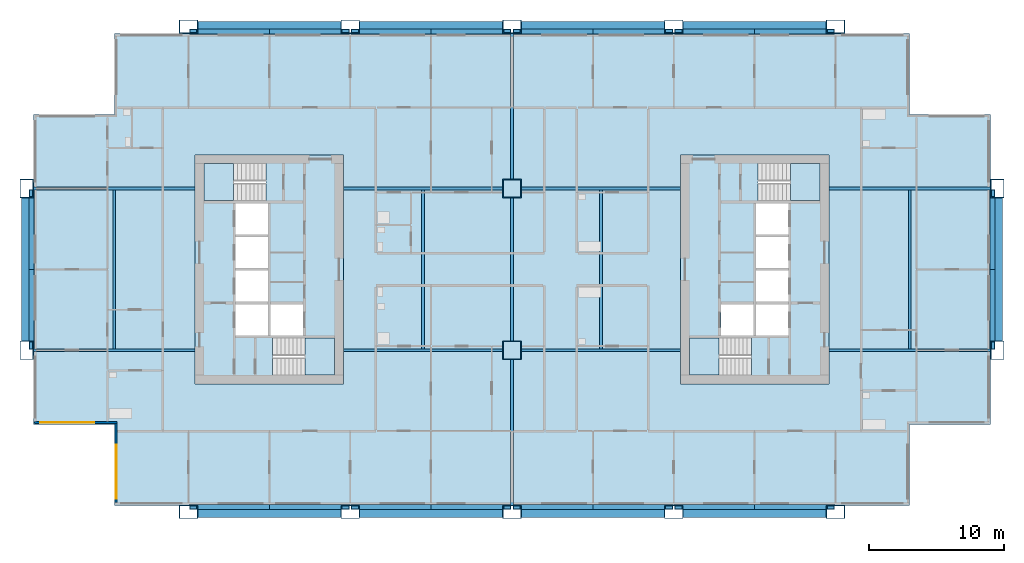
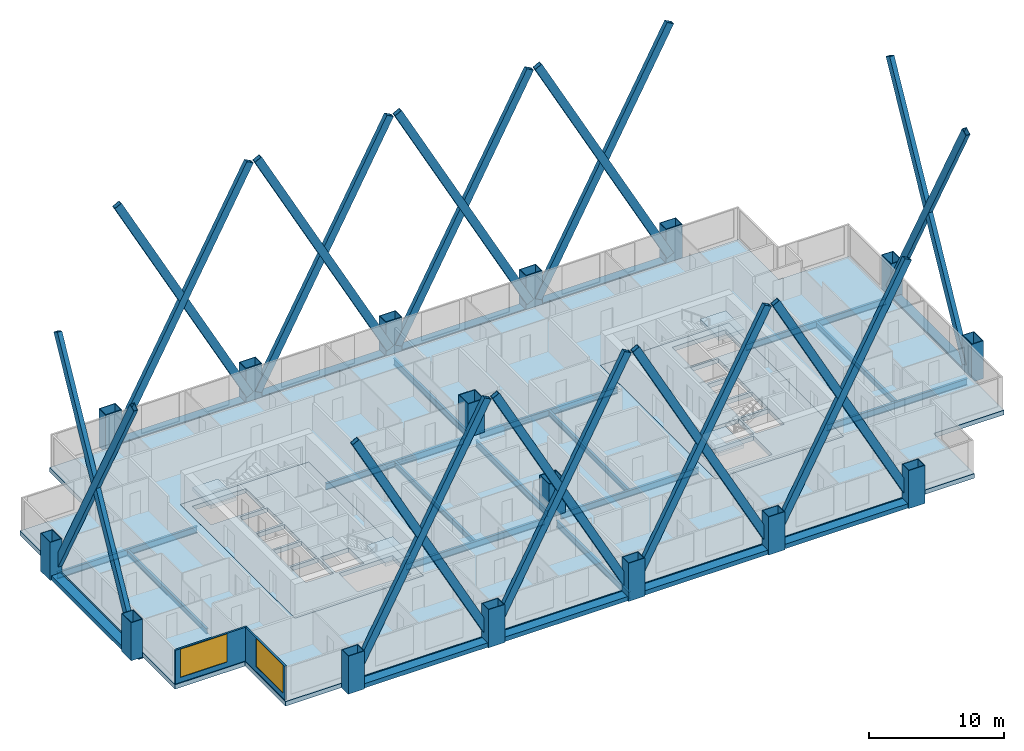
# One storey, part 1 of 11: 25 beams, 20 members, 16 columns, 7 slabs, 2 walls, 2 windows, 2 openings, 4 elements without a shape of their own.
"""IFC4 building model written with IfcOpenShell, lengths in metres."""

from ifc_helpers import new_model, si_unit, direction, frame, frame_2d, origin, origin_2d, place, context, subcontext, project, spatial, polyline, rectangle, hollow_rectangle, i_section, outline, extrude, material, layer, layer_set, material_profile, profile_set, type_object, element, fill, aggregate, save


model = new_model("IFC4")

# Units and contexts
model_context = context("Model", 3, precision=1e-05, world=origin(), true_north=direction((0.0, 1.0)))
body_context = subcontext(model_context, "Body", "Model", "MODEL_VIEW")
ifc_project = project(units=[si_unit("LENGTHUNIT", "METRE"), si_unit("AREAUNIT", "SQUARE_METRE"), si_unit("VOLUMEUNIT", "CUBIC_METRE"), si_unit("PLANEANGLEUNIT", "RADIAN"), si_unit("MASSUNIT", "GRAM", prefix="KILO")], contexts=[model_context])

# Site, building, storey
site_placement = place(None, origin())
site = spatial("IfcSite", under=ifc_project, at=site_placement, CompositionType="ELEMENT")
building_placement = place(site_placement, origin())
building = spatial("IfcBuilding", under=site, at=building_placement, Name="Kitamizu Gate Tower and Museum", CompositionType="ELEMENT")
storey_placement = place(building_placement, frame((0.0, 0.0, 131.10009765625)))
storey = spatial("IfcBuildingStorey", under=building, at=storey_placement, Name="L34", CompositionType="ELEMENT", Elevation=131.10009765625)

# Columns
ifc_material_1 = material(Name="Steel SM490A bronze coated", Category="steel")
ifc_material_profile_1 = material_profile(ifc_material_1, hollow_rectangle(XDim=1.39990234375, YDim=1.0, WallThickness=0.054931640625, at=origin_2d()), Name="BOX 1400x1000x55")
ifc_profile_set_1 = profile_set([ifc_material_profile_1], Name="Steel SM490A bronze coated")
column_type_1 = type_object("IfcColumnType", Name="Exoskeleton column XC5 BOX 1400x1000x55", PredefinedType="COLUMN", material=ifc_profile_set_1)
for number, where, z_axis, x_axis, name in (
    (1, (0.0, 24.0, -0.400146484375), (0.0, 0.0, 1.0), (0.0, 1.0, 0.0), "Column XC5 1C L34"),
    (2, (0.0, 36.0, -0.400146484375), (0.0, 0.0, 1.0), (0.0, 1.0, 0.0), "Column XC5 1D L34"),
    (3, (12.0, 12.0, -0.400146484375), (0.0, 0.0, 1.0), (1.0, 0.0, 0.0), "Column XC5 2B L34"),
    (4, (12.0, 48.0, -0.400146484375), (0.0, 0.0, 1.0), (1.0, 0.0, 0.0), "Column XC5 2E L34"),
    (5, (24.0, 12.0, -0.400146484375), (0.0, 0.0, 1.0), (1.0, 0.0, 0.0), "Column XC5 3B L34"),
    (6, (24.0, 48.0, -0.400146484375), (0.0, 0.0, 1.0), (1.0, 0.0, 0.0), "Column XC5 3E L34"),
    (7, (36.0, 12.0, -0.400146484375), (0.0, 0.0, 1.0), (1.0, 0.0, 0.0), "Column XC5 4B L34"),
    (8, (36.0, 48.0, -0.400146484375), (0.0, 0.0, 1.0), (1.0, 0.0, 0.0), "Column XC5 4E L34"),
    (9, (48.0, 12.0, -0.400146484375), (0.0, 0.0, 1.0), (1.0, 0.0, 0.0), "Column XC5 5B L34"),
    (10, (48.0, 48.0, -0.400146484375), (0.0, 0.0, 1.0), (1.0, 0.0, 0.0), "Column XC5 5E L34"),
    (11, (60.0, 12.0, -0.400146484375), (0.0, 0.0, 1.0), (1.0, 0.0, 0.0), "Column XC5 6B L34"),
    (12, (60.0, 48.0, -0.400146484375), (0.0, 0.0, 1.0), (1.0, 0.0, 0.0), "Column XC5 6E L34"),
    (13, (72.0, 24.0, -0.400146484375), (0.0, 0.0, 1.0), (0.0, 1.0, 0.0), "Column XC5 7C L34"),
    (14, (72.0, 36.0, -0.400146484375), (0.0, 0.0, 1.0), (0.0, 1.0, 0.0), "Column XC5 7D L34"),
):
    element("IfcColumn", number, at=place(storey_placement, frame(where, z_axis=z_axis, x_axis=x_axis)), inside=storey, type_object=column_type_1, Name=name, PredefinedType="COLUMN", context=body_context, shape_type="SweptSolid", body=[
        extrude(hollow_rectangle(XDim=1.39990234375, YDim=1.0, WallThickness=0.054931640625, at=origin_2d()), origin(), (0.0, 0.0, 1.0), 3.449951171875),
    ])
ifc_material_2 = material(Name="Steel SM490A", Category="steel")
ifc_material_profile_2 = material_profile(ifc_material_2, hollow_rectangle(XDim=1.39990234375, YDim=1.39990234375, WallThickness=0.06005859375, at=origin_2d()), Name="BOX 1400x1400x60")
ifc_profile_set_2 = profile_set([ifc_material_profile_2], Name="Steel SM490A")
column_type_2 = type_object("IfcColumnType", Name="Interior column IC3 BOX 1400x1400x60", PredefinedType="COLUMN", material=ifc_profile_set_2)
for number, where, z_axis, x_axis, name in (
    (15, (36.0, 24.0, 0.0), (0.0, 0.0, 1.0), (1.0, 0.0, 0.0), "Column IC3 4C L34"),
    (16, (36.0, 36.0, 0.0), (0.0, 0.0, 1.0), (1.0, 0.0, 0.0), "Column IC3 4D L34"),
):
    element("IfcColumn", number, at=place(storey_placement, frame(where, z_axis=z_axis, x_axis=x_axis)), inside=storey, type_object=column_type_2, Name=name, PredefinedType="COLUMN", context=body_context, shape_type="SweptSolid", body=[
        extrude(hollow_rectangle(XDim=1.39990234375, YDim=1.39990234375, WallThickness=0.06005859375, at=origin_2d()), origin(), (0.0, 0.0, 1.0), 3.0498046875),
    ])

# Members
ifc_material_3 = material(Name="Steel SM490A bronze coated", Category="steel")
ifc_material_profile_3 = material_profile(ifc_material_3, hollow_rectangle(XDim=0.3798828125, YDim=0.64990234375, WallThickness=0.033935546875, at=origin_2d()), Name="BOX 380x650x34")
ifc_profile_set_3 = profile_set([ifc_material_profile_3], Name="Steel SM490A bronze coated")
member_type = type_object("IfcMemberType", Name="Exoskeleton brace XB6 BOX 380x650x34", PredefinedType="BRACE", material=ifc_profile_set_3)
for number, where, z_axis, x_axis, name in (
    (17, (12.35009765625, 12.360107421875, 0.599853515625), (0.472969031151, 0.0, 0.881079051829), (0.0, 1.0, 0.0), "Exoskeleton brace XB6 south 12 L34"),
    (18, (23.64990234375, 12.360107421875, 0.599853515625), (-0.472969031151, 0.0, 0.881079051829), (0.0, -1.0, 0.0), "Exoskeleton brace XB6 south 12 L34"),
    (19, (24.35009765625, 12.360107421875, 0.599853515625), (0.472969031151, 0.0, 0.881079051829), (0.0, 1.0, 0.0), "Exoskeleton brace XB6 south 24 L34"),
    (20, (35.64990234375, 12.360107421875, 0.599853515625), (-0.472969031151, 0.0, 0.881079051829), (0.0, -1.0, 0.0), "Exoskeleton brace XB6 south 24 L34"),
    (21, (36.35009765625, 12.360107421875, 0.599853515625), (0.472969031151, 0.0, 0.881079051829), (0.0, 1.0, 0.0), "Exoskeleton brace XB6 south 36 L34"),
    (22, (47.64990234375, 12.360107421875, 0.599853515625), (-0.472969031151, 0.0, 0.881079051829), (0.0, -1.0, 0.0), "Exoskeleton brace XB6 south 36 L34"),
    (23, (48.35009765625, 12.360107421875, 0.599853515625), (0.472969031151, 0.0, 0.881079051829), (0.0, 1.0, 0.0), "Exoskeleton brace XB6 south 48 L34"),
    (24, (59.64990234375, 12.360107421875, 0.599853515625), (-0.472969031151, 0.0, 0.881079051829), (0.0, -1.0, 0.0), "Exoskeleton brace XB6 south 48 L34"),
    (25, (12.35009765625, 47.639892578125, 0.599853515625), (0.472969031151, 0.0, 0.881079051829), (0.0, 1.0, 0.0), "Exoskeleton brace XB6 north 12 L34"),
    (26, (23.64990234375, 47.639892578125, 0.599853515625), (-0.472969031151, 0.0, 0.881079051829), (0.0, -1.0, 0.0), "Exoskeleton brace XB6 north 12 L34"),
    (27, (24.35009765625, 47.639892578125, 0.599853515625), (0.472969031151, 0.0, 0.881079051829), (0.0, 1.0, 0.0), "Exoskeleton brace XB6 north 24 L34"),
    (28, (35.64990234375, 47.639892578125, 0.599853515625), (-0.472969031151, 0.0, 0.881079051829), (0.0, -1.0, 0.0), "Exoskeleton brace XB6 north 24 L34"),
    (29, (36.35009765625, 47.639892578125, 0.599853515625), (0.472969031151, 0.0, 0.881079051829), (0.0, 1.0, 0.0), "Exoskeleton brace XB6 north 36 L34"),
    (30, (47.64990234375, 47.639892578125, 0.599853515625), (-0.472969031151, 0.0, 0.881079051829), (0.0, -1.0, 0.0), "Exoskeleton brace XB6 north 36 L34"),
    (31, (48.35009765625, 47.639892578125, 0.599853515625), (0.472969031151, 0.0, 0.881079051829), (0.0, 1.0, 0.0), "Exoskeleton brace XB6 north 48 L34"),
    (32, (59.64990234375, 47.639892578125, 0.599853515625), (-0.472969031151, 0.0, 0.881079051829), (0.0, -1.0, 0.0), "Exoskeleton brace XB6 north 48 L34"),
    (33, (0.360107421875, 24.35009765625, 0.599853515625), (0.0, 0.472969031151, 0.881079051829), (-1.0, 0.0, 0.0), "Exoskeleton brace XB6 west 24 L34"),
    (34, (0.360107421875, 35.64990234375, 0.599853515625), (0.0, -0.472969031151, 0.881079051829), (1.0, 0.0, 0.0), "Exoskeleton brace XB6 west 24 L34"),
    (35, (71.639892578125, 24.35009765625, 0.599853515625), (0.0, 0.472969031151, 0.881079051829), (-1.0, 0.0, 0.0), "Exoskeleton brace XB6 east 24 L34"),
    (36, (71.639892578125, 35.64990234375, 0.599853515625), (0.0, -0.472969031151, 0.881079051829), (1.0, 0.0, 0.0), "Exoskeleton brace XB6 east 24 L34"),
):
    element("IfcMember", number, at=place(storey_placement, frame(where, z_axis=z_axis, x_axis=x_axis)), inside=storey, type_object=member_type, Name=name, PredefinedType="BRACE", context=body_context, shape_type="SweptSolid", body=[
        extrude(hollow_rectangle(XDim=0.3798828125, YDim=0.64990234375, WallThickness=0.033935546875, at=origin_2d()), origin(), (0.0, 0.0, 1.0), 23.89111328125),
    ])

# Beams
ifc_material_4 = material(Name="Steel SM490A bronze coated", Category="steel")
ifc_material_profile_4 = material_profile(ifc_material_4, hollow_rectangle(XDim=0.800048828125, YDim=0.39990234375, WallThickness=0.0400390625, at=origin_2d()), Name="BOX 800x400x40")
ifc_profile_set_4 = profile_set([ifc_material_profile_4], Name="Steel SM490A bronze coated")
beam_type_1 = type_object("IfcBeamType", Name="Exoskeleton spandrel beam SB1 BOX 800x400x40", PredefinedType="SPANDREL", material=ifc_profile_set_4)
for number, where, z_axis, x_axis, name in (
    (37, (12.699951171875, 12.0, -0.2001953125), (1.0, 0.0, 0.0), (0.0, 1.0, 0.0), "Exoskeleton spandrel beam south 12 L34"),
    (38, (24.699951171875, 12.0, -0.2001953125), (1.0, 0.0, 0.0), (0.0, 1.0, 0.0), "Exoskeleton spandrel beam south 24 L34"),
    (39, (36.699951171875, 12.0, -0.2001953125), (1.0, 0.0, 0.0), (0.0, 1.0, 0.0), "Exoskeleton spandrel beam south 36 L34"),
    (40, (48.699951171875, 12.0, -0.2001953125), (1.0, 0.0, 0.0), (0.0, 1.0, 0.0), "Exoskeleton spandrel beam south 48 L34"),
    (41, (12.699951171875, 48.0, -0.2001953125), (1.0, 0.0, 0.0), (0.0, 1.0, 0.0), "Exoskeleton spandrel beam north 12 L34"),
    (42, (24.699951171875, 48.0, -0.2001953125), (1.0, 0.0, 0.0), (0.0, 1.0, 0.0), "Exoskeleton spandrel beam north 24 L34"),
    (43, (36.699951171875, 48.0, -0.2001953125), (1.0, 0.0, 0.0), (0.0, 1.0, 0.0), "Exoskeleton spandrel beam north 36 L34"),
    (44, (48.699951171875, 48.0, -0.2001953125), (1.0, 0.0, 0.0), (0.0, 1.0, 0.0), "Exoskeleton spandrel beam north 48 L34"),
    (45, (0.0, 24.699951171875, -0.2001953125), (0.0, 1.0, 0.0), (-1.0, 0.0, 0.0), "Exoskeleton spandrel beam west 24 L34"),
    (46, (72.0, 24.699951171875, -0.2001953125), (0.0, 1.0, 0.0), (-1.0, 0.0, 0.0), "Exoskeleton spandrel beam east 24 L34"),
):
    element("IfcBeam", number, at=place(storey_placement, frame(where, z_axis=z_axis, x_axis=x_axis)), inside=storey, type_object=beam_type_1, Name=name, PredefinedType="SPANDREL", context=body_context, shape_type="SweptSolid", body=[
        extrude(hollow_rectangle(XDim=0.800048828125, YDim=0.39990234375, WallThickness=0.0400390625, at=origin_2d()), origin(), (0.0, 0.0, 1.0), 10.60009765625),
    ])
ifc_material_5 = material(Name="Steel SM490A", Category="steel")
ifc_material_profile_5 = material_profile(ifc_material_5, i_section(OverallWidth=0.199951171875, OverallDepth=0.5, WebThickness=0.010009765625, FlangeThickness=0.01611328125, FilletRadius=0.02001953125, at=origin_2d()), Name="H-500x200x10x16")
ifc_profile_set_5 = profile_set([ifc_material_profile_5], Name="Steel SM490A")
beam_type_2 = type_object("IfcBeamType", Name="Floor beam FB1 H 500x200x10x16", PredefinedType="BEAM", material=ifc_profile_set_5)
for number, where, z_axis, x_axis, name in (
    (47, (6.5, 24.10009765625, -0.650146484375), (0.0, 1.0, 0.0), (-1.0, 0.0, 0.0), "Floor beam FB1 L34-1"),
    (48, (29.39990234375, 24.10009765625, -0.650146484375), (0.0, 1.0, 0.0), (-1.0, 0.0, 0.0), "Floor beam FB1 L34-2"),
    (49, (42.60009765625, 24.10009765625, -0.650146484375), (0.0, 1.0, 0.0), (-1.0, 0.0, 0.0), "Floor beam FB1 L34-3"),
    (50, (65.5, 24.10009765625, -0.650146484375), (0.0, 1.0, 0.0), (-1.0, 0.0, 0.0), "Floor beam FB1 L34-4"),
):
    element("IfcBeam", number, at=place(storey_placement, frame(where, z_axis=z_axis, x_axis=x_axis)), inside=storey, type_object=beam_type_2, Name=name, PredefinedType="BEAM", context=body_context, shape_type="SweptSolid", body=[
        extrude(i_section(OverallWidth=0.199951171875, OverallDepth=0.5, WebThickness=0.010009765625, FlangeThickness=0.01611328125, FilletRadius=0.02001953125, at=origin_2d()), origin(), (0.0, 0.0, 1.0), 11.7998046875),
    ])
ifc_material_6 = material(Name="Steel SM490A", Category="steel")
ifc_material_profile_6 = material_profile(ifc_material_6, i_section(OverallWidth=0.199951171875, OverallDepth=0.60009765625, WebThickness=0.010986328125, FlangeThickness=0.01708984375, FilletRadius=0.02197265625, at=origin_2d()), Name="H-600x200x11x17")
ifc_profile_set_6 = profile_set([ifc_material_profile_6], Name="Steel SM490A")
beam_type_3 = type_object("IfcBeamType", Name="Floor girder FG1 H 600x200x11x17", PredefinedType="BEAM", material=ifc_profile_set_6)
beam_1_placement = place(storey_placement, frame((36.0, 12.5, -0.7001953125), z_axis=(0.0, 1.0, 0.0), x_axis=(-1.0, 0.0, 0.0)))
element("IfcBeam", 51, at=beam_1_placement, inside=storey, type_object=beam_type_3, Name="Floor girder FG1 x36 L34", PredefinedType="BEAM", context=body_context, shape_type="SweptSolid", body=[
    extrude(i_section(OverallWidth=0.199951171875, OverallDepth=0.60009765625, WebThickness=0.010986328125, FlangeThickness=0.01708984375, FilletRadius=0.02197265625, at=origin_2d()), origin(), (0.0, 0.0, 1.0), 10.800048828125),
])
beam_2_placement = place(storey_placement, frame((36.0, 24.699951171875, -0.7001953125), z_axis=(0.0, 1.0, 0.0), x_axis=(-1.0, 0.0, 0.0)))
element("IfcBeam", 52, at=beam_2_placement, inside=storey, type_object=beam_type_3, Name="Floor girder FG1 x36 L34", PredefinedType="BEAM", context=body_context, shape_type="SweptSolid", body=[
    extrude(i_section(OverallWidth=0.199951171875, OverallDepth=0.60009765625, WebThickness=0.010986328125, FlangeThickness=0.01708984375, FilletRadius=0.02197265625, at=origin_2d()), origin(), (0.0, 0.0, 1.0), 10.60009765625),
])
beam_3_placement = place(storey_placement, frame((36.0, 36.699951171875, -0.7001953125), z_axis=(0.0, 1.0, 0.0), x_axis=(-1.0, 0.0, 0.0)))
element("IfcBeam", 53, at=beam_3_placement, inside=storey, type_object=beam_type_3, Name="Floor girder FG1 x36 L34", PredefinedType="BEAM", context=body_context, shape_type="SweptSolid", body=[
    extrude(i_section(OverallWidth=0.199951171875, OverallDepth=0.60009765625, WebThickness=0.010986328125, FlangeThickness=0.01708984375, FilletRadius=0.02197265625, at=origin_2d()), origin(), (0.0, 0.0, 1.0), 10.800048828125),
])
beam_4_placement = place(storey_placement, frame((0.5, 24.0, -0.7001953125), z_axis=(1.0, 0.0, 0.0), x_axis=(0.0, 1.0, 0.0)))
element("IfcBeam", 54, at=beam_4_placement, inside=storey, type_object=beam_type_3, Name="Floor girder FG1 y24 L34", PredefinedType="BEAM", context=body_context, shape_type="SweptSolid", body=[
    extrude(i_section(OverallWidth=0.199951171875, OverallDepth=0.60009765625, WebThickness=0.010986328125, FlangeThickness=0.01708984375, FilletRadius=0.02197265625, at=origin_2d()), origin(), (0.0, 0.0, 1.0), 12.0),
])
for number, where, z_axis, x_axis, name in (
    (55, (23.5, 24.0, -0.7001953125), (1.0, 0.0, 0.0), (0.0, 1.0, 0.0), "Floor girder FG1 y24 L34"),
    (56, (36.699951171875, 24.0, -0.7001953125), (1.0, 0.0, 0.0), (0.0, 1.0, 0.0), "Floor girder FG1 y24 L34"),
):
    element("IfcBeam", number, at=place(storey_placement, frame(where, z_axis=z_axis, x_axis=x_axis)), inside=storey, type_object=beam_type_3, Name=name, PredefinedType="BEAM", context=body_context, shape_type="SweptSolid", body=[
        extrude(i_section(OverallWidth=0.199951171875, OverallDepth=0.60009765625, WebThickness=0.010986328125, FlangeThickness=0.01708984375, FilletRadius=0.02197265625, at=origin_2d()), origin(), (0.0, 0.0, 1.0), 11.800048828125),
    ])
for number, where, z_axis, x_axis, name in (
    (57, (59.5, 24.0, -0.7001953125), (1.0, 0.0, 0.0), (0.0, 1.0, 0.0), "Floor girder FG1 y24 L34"),
    (58, (0.5, 36.0, -0.7001953125), (1.0, 0.0, 0.0), (0.0, 1.0, 0.0), "Floor girder FG1 y36 L34"),
):
    element("IfcBeam", number, at=place(storey_placement, frame(where, z_axis=z_axis, x_axis=x_axis)), inside=storey, type_object=beam_type_3, Name=name, PredefinedType="BEAM", context=body_context, shape_type="SweptSolid", body=[
        extrude(i_section(OverallWidth=0.199951171875, OverallDepth=0.60009765625, WebThickness=0.010986328125, FlangeThickness=0.01708984375, FilletRadius=0.02197265625, at=origin_2d()), origin(), (0.0, 0.0, 1.0), 12.0),
    ])
for number, where, z_axis, x_axis, name in (
    (59, (23.5, 36.0, -0.7001953125), (1.0, 0.0, 0.0), (0.0, 1.0, 0.0), "Floor girder FG1 y36 L34"),
    (60, (36.699951171875, 36.0, -0.7001953125), (1.0, 0.0, 0.0), (0.0, 1.0, 0.0), "Floor girder FG1 y36 L34"),
):
    element("IfcBeam", number, at=place(storey_placement, frame(where, z_axis=z_axis, x_axis=x_axis)), inside=storey, type_object=beam_type_3, Name=name, PredefinedType="BEAM", context=body_context, shape_type="SweptSolid", body=[
        extrude(i_section(OverallWidth=0.199951171875, OverallDepth=0.60009765625, WebThickness=0.010986328125, FlangeThickness=0.01708984375, FilletRadius=0.02197265625, at=origin_2d()), origin(), (0.0, 0.0, 1.0), 11.800048828125),
    ])
beam_5_placement = place(storey_placement, frame((59.5, 36.0, -0.7001953125), z_axis=(1.0, 0.0, 0.0), x_axis=(0.0, 1.0, 0.0)))
element("IfcBeam", 61, at=beam_5_placement, inside=storey, type_object=beam_type_3, Name="Floor girder FG1 y36 L34", PredefinedType="BEAM", context=body_context, shape_type="SweptSolid", body=[
    extrude(i_section(OverallWidth=0.199951171875, OverallDepth=0.60009765625, WebThickness=0.010986328125, FlangeThickness=0.01708984375, FilletRadius=0.02197265625, at=origin_2d()), origin(), (0.0, 0.0, 1.0), 12.0),
])

# Slabs
ifc_material_7 = material(Name="Concrete Fc36", Category="concrete")
ifc_layer_1 = layer(ifc_material_7, 0.39990234375)
ifc_layer_set_1 = layer_set([ifc_layer_1], Name="Concrete Fc36")
slab_type_1 = type_object("IfcSlabType", Name="Core floor slab 400", PredefinedType="FLOOR", material=ifc_layer_set_1)
slab_1_placement = place(storey_placement, frame((0.0, 0.0, -0.400146484375)))
element("IfcSlab", 62, at=slab_1_placement, inside=storey, type_object=slab_type_1, Name="Core floor slab W", PredefinedType="FLOOR", context=body_context, shape_type="SweptSolid", body=[
    extrude(outline(polyline([(12.5, 21.5), (23.5, 21.5), (23.5, 38.5), (12.5, 38.5), (12.5, 21.5)]), holes=[polyline([(15.5, 25.10009765625), (17.89990234375, 25.10009765625), (17.89990234375, 27.39990234375), (15.5, 27.39990234375), (15.5, 25.10009765625)]), polyline([(15.5, 27.60009765625), (17.89990234375, 27.60009765625), (17.89990234375, 29.89990234375), (15.5, 29.89990234375), (15.5, 27.60009765625)]), polyline([(15.5, 30.10009765625), (17.89990234375, 30.10009765625), (17.89990234375, 32.39990234375), (15.5, 32.39990234375), (15.5, 30.10009765625)]), polyline([(15.5, 32.60009765625), (17.89990234375, 32.60009765625), (17.89990234375, 34.89990234375), (15.5, 34.89990234375), (15.5, 32.60009765625)]), polyline([(18.10009765625, 25.10009765625), (20.5, 25.10009765625), (20.5, 27.39990234375), (18.10009765625, 27.39990234375), (18.10009765625, 25.10009765625)]), polyline([(18.25048828125, 22.14990234375), (22.85009765625, 22.14990234375), (22.85009765625, 24.89990234375), (18.25048828125, 24.89990234375), (18.25048828125, 22.14990234375)]), polyline([(13.14990234375, 35.10009765625), (17.74951171875, 35.10009765625), (17.74951171875, 37.85009765625), (13.14990234375, 37.85009765625), (13.14990234375, 35.10009765625)])]), origin(), (0.0, 0.0, 1.0), 0.400146484375),
])
slab_2_placement = place(storey_placement, frame((0.0, 0.0, -0.400146484375)))
element("IfcSlab", 63, at=slab_2_placement, inside=storey, type_object=slab_type_1, Name="Core floor slab E", PredefinedType="FLOOR", context=body_context, shape_type="SweptSolid", body=[
    extrude(outline(polyline([(48.5, 21.5), (59.5, 21.5), (59.5, 38.5), (48.5, 38.5), (48.5, 21.5)]), holes=[polyline([(54.10009765625, 25.10009765625), (56.5, 25.10009765625), (56.5, 27.39990234375), (54.10009765625, 27.39990234375), (54.10009765625, 25.10009765625)]), polyline([(54.10009765625, 27.60009765625), (56.5, 27.60009765625), (56.5, 29.89990234375), (54.10009765625, 29.89990234375), (54.10009765625, 27.60009765625)]), polyline([(54.10009765625, 30.10009765625), (56.5, 30.10009765625), (56.5, 32.39990234375), (54.10009765625, 32.39990234375), (54.10009765625, 30.10009765625)]), polyline([(54.10009765625, 32.60009765625), (56.5, 32.60009765625), (56.5, 34.89990234375), (54.10009765625, 34.89990234375), (54.10009765625, 32.60009765625)]), polyline([(51.5, 25.10009765625), (53.89990234375, 25.10009765625), (53.89990234375, 27.39990234375), (51.5, 27.39990234375), (51.5, 25.10009765625)]), polyline([(49.14990234375, 22.14990234375), (53.74951171875, 22.14990234375), (53.74951171875, 24.89990234375), (49.14990234375, 24.89990234375), (49.14990234375, 22.14990234375)]), polyline([(54.25048828125, 35.10009765625), (58.85009765625, 35.10009765625), (58.85009765625, 37.85009765625), (54.25048828125, 37.85009765625), (54.25048828125, 35.10009765625)])]), origin(), (0.0, 0.0, 1.0), 0.400146484375),
])
ifc_material_8 = material(Name="Concrete Fc36", Category="concrete")
ifc_layer_2 = layer(ifc_material_8, 0.39990234375)
ifc_layer_set_2 = layer_set([ifc_layer_2], Name="Concrete Fc36")
slab_type_2 = type_object("IfcSlabType", Name="Post tensioned flat slab 400", PredefinedType="FLOOR", material=ifc_layer_set_2)
slab_3_placement = place(storey_placement, frame((0.0, 0.0, -0.400146484375)))
element("IfcSlab", 64, at=slab_3_placement, inside=storey, type_object=slab_type_2, Name="Floor slab L34-1", PredefinedType="FLOOR", context=body_context, shape_type="SweptSolid", body=[
    extrude(outline(polyline([(0.5, 18.5), (0.5, 41.5), (6.5, 41.5), (6.5, 47.5), (65.5, 47.5), (65.5, 41.5), (71.5, 41.5), (71.5, 18.5), (65.5, 18.5), (65.5, 12.5), (6.5, 12.5), (6.5, 18.5), (0.5, 18.5)]), holes=[polyline([(59.5, 38.5), (48.5, 38.5), (48.5, 21.5), (59.5, 21.5), (59.5, 38.5)]), polyline([(12.5, 38.5), (12.5, 21.5), (23.5, 21.5), (23.5, 38.5), (12.5, 38.5)])]), origin(), (0.0, 0.0, 1.0), 0.400146484375),
])

# Stair, slab
ifc_material_9 = material(Name="Concrete Fc42", Category="concrete")
stair_type = type_object("IfcStairType", Name="Exit stair 1275 wide 192 rise 300 going", PredefinedType="HALF_TURN_STAIR", material=ifc_material_9)
stair_1_placement = place(storey_placement, origin())
stair_1 = element("IfcStair", 65, at=stair_1_placement, inside=storey, type_object=stair_type, Name="Exit stair ST1", PredefinedType="HALF_TURN_STAIR")
ifc_material_10 = material(Name="Concrete Fc42", Category="concrete")
ifc_layer_3 = layer(ifc_material_10, 0.300048828125)
ifc_layer_set_3 = layer_set([ifc_layer_3], Name="Concrete Fc42")
slab_type_3 = type_object("IfcSlabType", Name="Stair landing 300", PredefinedType="LANDING", material=ifc_layer_set_3)
slab_4_placement = place(storey_placement, frame((0.0, 0.0, 1.4248046875)))
slab_4 = element("IfcSlab", 66, at=slab_4_placement, type_object=slab_type_3, Name="ST1 landing 1", PredefinedType="LANDING", context=body_context, shape_type="SweptSolid", body=[
    extrude(outline(polyline([(20.64990234375, 22.14990234375), (22.85009765625, 22.14990234375), (22.85009765625, 24.89990234375), (20.64990234375, 24.89990234375), (20.64990234375, 22.14990234375)])), origin(), (0.0, 0.0, 1.0), 0.300048828125),
])
aggregate(stair_1, [slab_4])

stair_2_placement = place(storey_placement, origin())
stair_2 = element("IfcStair", 67, at=stair_2_placement, inside=storey, type_object=stair_type, Name="Exit stair ST2", PredefinedType="HALF_TURN_STAIR")
slab_5_placement = place(storey_placement, frame((0.0, 0.0, 1.4248046875)))
slab_5 = element("IfcSlab", 68, at=slab_5_placement, type_object=slab_type_3, Name="ST2 landing 1", PredefinedType="LANDING", context=body_context, shape_type="SweptSolid", body=[
    extrude(outline(polyline([(13.14990234375, 35.10009765625), (15.35009765625, 35.10009765625), (15.35009765625, 37.85009765625), (13.14990234375, 37.85009765625), (13.14990234375, 35.10009765625)])), origin(), (0.0, 0.0, 1.0), 0.300048828125),
])
aggregate(stair_2, [slab_5])

stair_3_placement = place(storey_placement, origin())
stair_3 = element("IfcStair", 69, at=stair_3_placement, inside=storey, type_object=stair_type, Name="Exit stair ST3", PredefinedType="HALF_TURN_STAIR")
slab_6_placement = place(storey_placement, frame((0.0, 0.0, 1.4248046875)))
slab_6 = element("IfcSlab", 70, at=slab_6_placement, type_object=slab_type_3, Name="ST3 landing 1", PredefinedType="LANDING", context=body_context, shape_type="SweptSolid", body=[
    extrude(outline(polyline([(49.14990234375, 22.14990234375), (51.35009765625, 22.14990234375), (51.35009765625, 24.89990234375), (49.14990234375, 24.89990234375), (49.14990234375, 22.14990234375)])), origin(), (0.0, 0.0, 1.0), 0.300048828125),
])
aggregate(stair_3, [slab_6])

stair_4_placement = place(storey_placement, origin())
stair_4 = element("IfcStair", 71, at=stair_4_placement, inside=storey, type_object=stair_type, Name="Exit stair ST4", PredefinedType="HALF_TURN_STAIR")
slab_7_placement = place(storey_placement, frame((0.0, 0.0, 1.4248046875)))
slab_7 = element("IfcSlab", 72, at=slab_7_placement, type_object=slab_type_3, Name="ST4 landing 1", PredefinedType="LANDING", context=body_context, shape_type="SweptSolid", body=[
    extrude(outline(polyline([(56.64990234375, 35.10009765625), (58.85009765625, 35.10009765625), (58.85009765625, 37.85009765625), (56.64990234375, 37.85009765625), (56.64990234375, 35.10009765625)])), origin(), (0.0, 0.0, 1.0), 0.300048828125),
])
aggregate(stair_4, [slab_7])

# Wall, opening, window
ifc_material_11 = material(Name="Bronze anodised aluminium frame with insulated spandrel and tinted glass", Category="aluminium")
ifc_layer_4 = layer(ifc_material_11, 0.14990234375)
ifc_layer_set_4 = layer_set([ifc_layer_4], Name="Bronze anodised aluminium frame with insulated spandrel and tinted glass")
wall_type = type_object("IfcWallType", Name="WINDOW WALL 150 BRONZE FRAME EI 30", PredefinedType="ELEMENTEDWALL", material=ifc_layer_set_4)
wall_1_placement = place(storey_placement, frame((0.56005859375, 18.635009765625, 0.0), z_axis=(0.0, 0.0, 1.0), x_axis=(1.0, 0.0, 0.0)))
wall_1 = element("IfcWall", 73, at=wall_1_placement, inside=storey, type_object=wall_type, Name="Window wall south L34", PredefinedType="ELEMENTEDWALL", context=body_context, shape_type="SweptSolid", body=[
    extrude(rectangle(XDim=6.14990234375, YDim=0.14990234375, at=frame_2d((3.074951171875, 0.0))), origin(), (0.0, 0.0, 1.0), 3.0498046875),
])
opening_1_placement = place(wall_1_placement, frame((0.43994140625, 0.0, 0.449951171875)))
opening_1 = element("IfcOpeningElement", 74, at=opening_1_placement, cuts=wall_1, Name="Opening W16", PredefinedType="OPENING", context=body_context, shape_type="SweptSolid", body=[
    extrude(rectangle(XDim=4.0, YDim=2.550048828125, at=frame_2d((2.0, 1.27490234375))), frame((0.0, 0.0849609375, 0.0), z_axis=(0.0, -1.0, 0.0), x_axis=(1.0, 0.0, 0.0)), (0.0, 0.0, 1.0), 0.169921875),
])
ifc_material_12 = material(Name="Bronze anodised aluminium frame, tinted triple glazing", Category="aluminium")
window_type = type_object("IfcWindowType", Name="WINDOW 4000 x 2550 SILL 450", PartitioningType="SINGLE_PANEL", PredefinedType="WINDOW", material=ifc_material_12)
window_1_placement = place(opening_1_placement, origin())
window_1 = element("IfcWindow", 75, at=window_1_placement, inside=storey, type_object=window_type, Name="Window W16 L34", OverallHeight=2.550048828125, OverallWidth=4.0, PartitioningType="SINGLE_PANEL", PredefinedType="WINDOW", context=body_context, shape_type="SweptSolid", body=[
    extrude(rectangle(XDim=4.0, YDim=2.550048828125, at=frame_2d((2.0, 1.27490234375))), frame((0.0, 0.030029296875, 0.0), z_axis=(0.0, -1.0, 0.0), x_axis=(1.0, 0.0, 0.0)), (0.0, 0.0, 1.0), 0.06005859375),
])
fill(opening_1, window_1)

wall_2_placement = place(storey_placement, frame((6.635009765625, 12.7099609375, 0.0), z_axis=(0.0, 0.0, 1.0), x_axis=(0.0, 1.0, 0.0)))
wall_2 = element("IfcWall", 76, at=wall_2_placement, inside=storey, type_object=wall_type, Name="Window wall west L34", PredefinedType="ELEMENTEDWALL", context=body_context, shape_type="SweptSolid", body=[
    extrude(rectangle(XDim=5.85009765625, YDim=0.14990234375, at=frame_2d((2.925048828125, 0.0))), origin(), (0.0, 0.0, 1.0), 3.0498046875),
])
opening_2_placement = place(wall_2_placement, frame((0.2900390625, 0.0, 0.449951171875)))
opening_2 = element("IfcOpeningElement", 77, at=opening_2_placement, cuts=wall_2, Name="Opening W16", PredefinedType="OPENING", context=body_context, shape_type="SweptSolid", body=[
    extrude(rectangle(XDim=4.0, YDim=2.550048828125, at=frame_2d((2.0, 1.27490234375))), frame((0.0, 0.0849609375, 0.0), z_axis=(0.0, -1.0, 0.0), x_axis=(1.0, 0.0, 0.0)), (0.0, 0.0, 1.0), 0.169921875),
])
window_2_placement = place(opening_2_placement, origin())
window_2 = element("IfcWindow", 78, at=window_2_placement, inside=storey, type_object=window_type, Name="Window W16 L34", OverallHeight=2.550048828125, OverallWidth=4.0, PartitioningType="SINGLE_PANEL", PredefinedType="WINDOW", context=body_context, shape_type="SweptSolid", body=[
    extrude(rectangle(XDim=4.0, YDim=2.550048828125, at=frame_2d((2.0, 1.27490234375))), frame((0.0, 0.030029296875, 0.0), z_axis=(0.0, -1.0, 0.0), x_axis=(1.0, 0.0, 0.0)), (0.0, 0.0, 1.0), 0.06005859375),
])
fill(opening_2, window_2)

save(model, "model.ifc")
